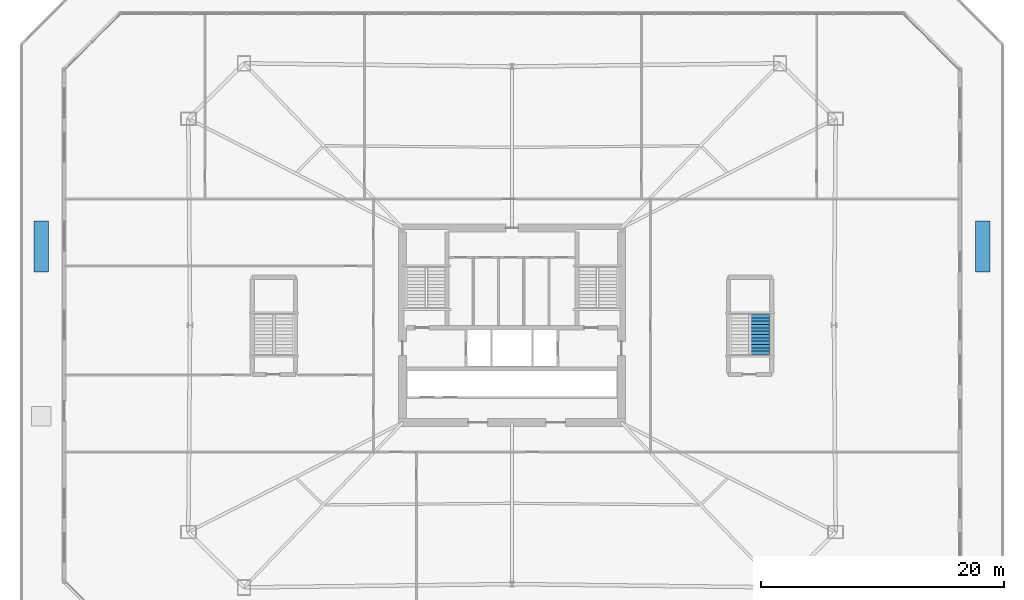
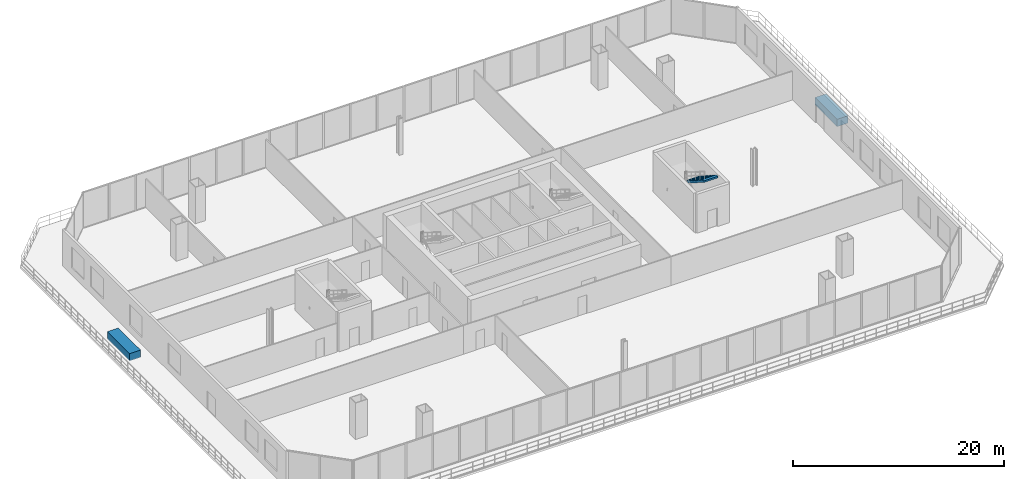
# One storey, part 28 of 31: 2 discrete accessories, 1 stair flight, 1 element without a shape of its own.
"""IFC4 building model written with IfcOpenShell, lengths in metres."""

from ifc_helpers import new_model, si_unit, direction, frame, origin, origin_2d, place, context, subcontext, project, spatial, polyline, rectangle, outline, extrude, material, type_object, element, aggregate, save


model = new_model("IFC4")

# Units and contexts
model_context = context("Model", 3, precision=1e-05, world=origin(), true_north=direction((0.0, 1.0)))
body_context = subcontext(model_context, "Body", "Model", "MODEL_VIEW")
ifc_project = project(units=[si_unit("LENGTHUNIT", "METRE"), si_unit("AREAUNIT", "SQUARE_METRE"), si_unit("VOLUMEUNIT", "CUBIC_METRE"), si_unit("PLANEANGLEUNIT", "RADIAN"), si_unit("MASSUNIT", "GRAM", prefix="KILO")], contexts=[model_context])

# Site, building, storey
site_placement = place(None, origin())
site = spatial("IfcSite", under=ifc_project, at=site_placement, CompositionType="ELEMENT")
building_placement = place(site_placement, origin())
building = spatial("IfcBuilding", under=site, at=building_placement, Name="Caelvoria Tower", CompositionType="ELEMENT")
storey_placement = place(building_placement, frame((0.0, 0.0, 9.5)))
storey = spatial("IfcBuildingStorey", under=building, at=storey_placement, Name="L02", CompositionType="ELEMENT", Elevation=9.5)

# Stair, stair flight
ifc_material_1 = material(Name="Concrete C40/50", Category="concrete")
stair_type = type_object("IfcStairType", Name="Core Smokeproof Dogleg Stair Concrete C40/50", PredefinedType="HALF_TURN_STAIR", material=ifc_material_1)
stair_placement = place(storey_placement, origin())
stair = element("IfcStair", 1, at=stair_placement, inside=storey, type_object=stair_type, Name="ST-04 Smokeproof Exit Stair L02", PredefinedType="HALF_TURN_STAIR")
ifc_material_2 = material(Name="Precast Concrete C40/50", Category="concrete")
stair_flight_type = type_object("IfcStairFlightType", Name="Precast Concrete C40/50 Stair Flight 1480", PredefinedType="STRAIGHT", material=ifc_material_2)
stair_flight_placement = place(storey_placement, frame((66.419921875, 32.89990234375, 2.25), z_axis=(0.0, 0.0, 1.0), x_axis=(0.0, -1.0, 0.0)))
stair_flight = element("IfcStairFlight", 2, at=stair_flight_placement, type_object=stair_flight_type, Name="ST-04 flight 2", NumberOfRisers=13, NumberOfTreads=12, PredefinedType="STRAIGHT", RiserHeight=0.1731, TreadLength=0.275, context=body_context, shape_type="SweptSolid", body=[
    extrude(outline(polyline([(0.0, 0.0), (0.0, 0.173095703125), (0.27490234375, 0.173095703125), (0.27490234375, 0.34619140625), (0.550048828125, 0.34619140625), (0.550048828125, 0.519287109375), (0.824951171875, 0.519287109375), (0.824951171875, 0.6923828125), (1.10009765625, 0.6923828125), (1.10009765625, 0.865478515625), (1.375, 0.865478515625), (1.375, 1.03857421875), (1.64990234375, 1.03857421875), (1.64990234375, 1.211669921875), (1.925048828125, 1.211669921875), (1.925048828125, 1.384765625), (2.199951171875, 1.384765625), (2.199951171875, 1.557861328125), (2.47509765625, 1.557861328125), (2.47509765625, 1.73095703125), (2.75, 1.73095703125), (2.75, 1.904052734375), (3.02490234375, 1.904052734375), (3.02490234375, 2.0771484375), (3.300048828125, 2.0771484375), (3.300048828125, 2.250244140625), (3.300048828125, 1.88818359375), (0.30029296875, 0.0), (0.0, 0.0)])), frame((0.0, 0.77001953125, 0.0), z_axis=(0.0, -1.0, 0.0), x_axis=(1.0, 0.0, 0.0)), (0.0, 0.0, 1.0), 1.5400390625),
])
aggregate(stair, [stair_flight])

# Discrete accessories
ifc_material_3 = material(Name="Bronze-Clad Concrete C40/50 Planter Vessel", Category="concrete")
discrete_accessory_type = type_object("IfcDiscreteAccessoryType", Name="Podium Terrace Garden Planter Bed PLANTER", PredefinedType="USERDEFINED", material=ifc_material_3)
for number, where, z_axis, x_axis, name in (
    (3, (7.25, 38.5, 0.0), (0.0, 0.0, 1.0), (1.0, 0.0, 0.0), "Terrace Planted Bed L02-W"),
    (4, (84.75, 38.5, 0.0), (0.0, 0.0, 1.0), (1.0, 0.0, 0.0), "Terrace Planted Bed L02-E"),
):
    element("IfcDiscreteAccessory", number, at=place(storey_placement, frame(where, z_axis=z_axis, x_axis=x_axis)), inside=storey, type_object=discrete_accessory_type, Name=name, ObjectType="PLANTER", PredefinedType="USERDEFINED", context=body_context, shape_type="SweptSolid", body=[
        extrude(rectangle(XDim=1.199951171875, YDim=4.199951171875, at=origin_2d()), origin(), (0.0, 0.0, 1.0), 0.85009765625),
    ])

save(model, "model.ifc")
